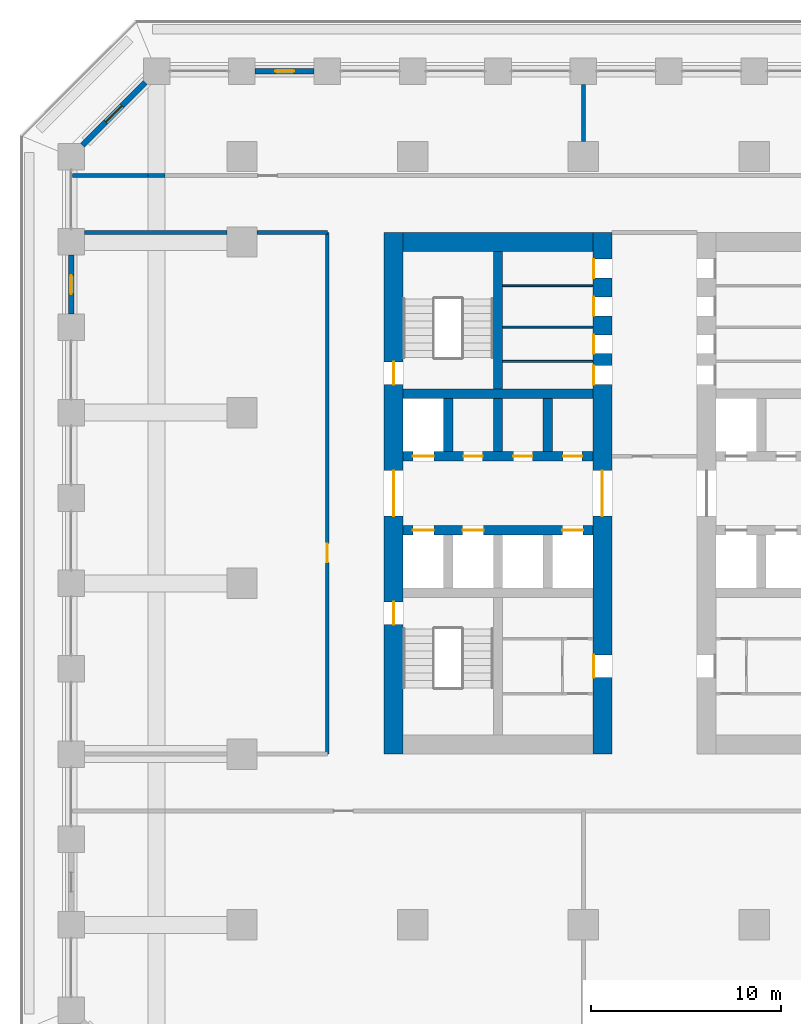
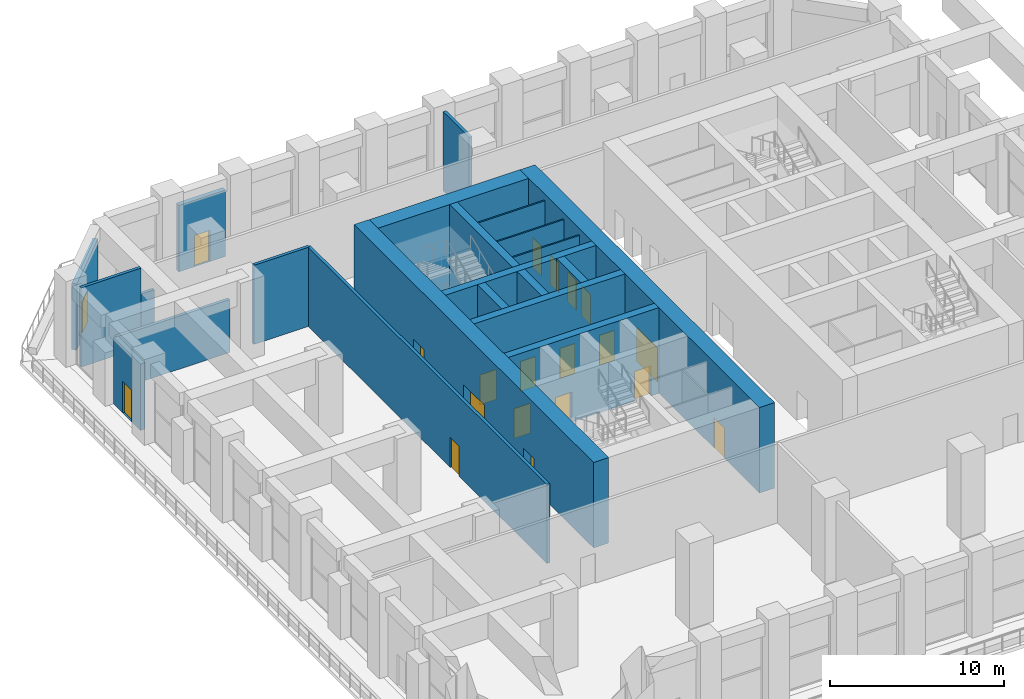
# One storey, part 13 of 21: 22 walls, 20 doors, 20 openings.
"""IFC4 building model written with IfcOpenShell, lengths in metres."""

from ifc_helpers import new_model, si_unit, direction, frame, frame_2d, origin, place, context, subcontext, project, spatial, rectangle, extrude, material, layer, layer_set, type_object, element, fill, save


model = new_model("IFC4")

# Units and contexts
model_context = context("Model", 3, precision=1e-05, world=origin(), true_north=direction((0.0, 1.0)))
body_context = subcontext(model_context, "Body", "Model", "MODEL_VIEW")
ifc_project = project(units=[si_unit("LENGTHUNIT", "METRE"), si_unit("AREAUNIT", "SQUARE_METRE"), si_unit("VOLUMEUNIT", "CUBIC_METRE"), si_unit("PLANEANGLEUNIT", "RADIAN"), si_unit("MASSUNIT", "GRAM", prefix="KILO")], contexts=[model_context])

# Site, building, storey
site_placement = place(None, origin())
site = spatial("IfcSite", under=ifc_project, at=site_placement, CompositionType="ELEMENT")
building_placement = place(site_placement, origin())
building = spatial("IfcBuilding", under=site, at=building_placement, Name="Corbel Stack Research Tower", CompositionType="ELEMENT")
storey_placement = place(building_placement, frame((0.0, 0.0, 35.89990234375)))
storey = spatial("IfcBuildingStorey", under=building, at=storey_placement, Name="L08", CompositionType="ELEMENT", Elevation=35.89990234375)

# Wall, openings, doors
ifc_material_1 = material(Name="Concrete C70/85", Category="concrete")
ifc_layer_1 = layer(ifc_material_1, 1.0)
ifc_layer_set_1 = layer_set([ifc_layer_1], Name="Concrete C70/85")
wall_type_1 = type_object("IfcWallType", Name="CW-1000-70", PredefinedType="SHEAR", material=ifc_layer_set_1)
wall_1_placement = place(storey_placement, frame((-10.0, -9.0, 0.0), z_axis=(0.0, 0.0, 1.0), x_axis=(0.0, 1.0, 0.0)))
wall_1 = element("IfcWall", 1, at=wall_1_placement, inside=storey, type_object=wall_type_1, Name="West core wall, west face L08", PredefinedType="SHEAR", context=body_context, shape_type="SweptSolid", body=[
    extrude(rectangle(XDim=27.5, YDim=1.0, at=frame_2d((13.75, 0.0))), origin(), (0.0, 0.0, 1.0), 6.0),
])
opening_1_placement = place(wall_1_placement, frame((12.550048828125, 0.0, 0.0)))
opening_1 = element("IfcOpeningElement", 2, at=opening_1_placement, cuts=wall_1, Name="Opening CD-W-W", PredefinedType="OPENING", context=body_context, shape_type="SweptSolid", body=[
    extrude(rectangle(XDim=2.39990234375, YDim=2.39990234375, at=frame_2d((1.199951171875, 1.199951171875))), frame((0.0, 0.510009765625, 0.0), z_axis=(0.0, -1.0, 0.0), x_axis=(1.0, 0.0, 0.0)), (0.0, 0.0, 1.0), 1.02001953125),
])
opening_2_placement = place(wall_1_placement, frame((6.824951171875, 0.0, 0.0)))
opening_2 = element("IfcOpeningElement", 3, at=opening_2_placement, cuts=wall_1, Name="Opening SD-ST-W1", PredefinedType="OPENING", context=body_context, shape_type="SweptSolid", body=[
    extrude(rectangle(XDim=1.199951171875, YDim=2.10009765625, at=frame_2d((0.60009765625, 1.050048828125))), frame((0.0, 0.510009765625, 0.0), z_axis=(0.0, -1.0, 0.0), x_axis=(1.0, 0.0, 0.0)), (0.0, 0.0, 1.0), 1.02001953125),
])
opening_3_placement = place(wall_1_placement, frame((19.47509765625, 0.0, 0.0)))
opening_3 = element("IfcOpeningElement", 4, at=opening_3_placement, cuts=wall_1, Name="Opening SD-ST-W2", PredefinedType="OPENING", context=body_context, shape_type="SweptSolid", body=[
    extrude(rectangle(XDim=1.199951171875, YDim=2.10009765625, at=frame_2d((0.60009765625, 1.050048828125))), frame((0.0, 0.510009765625, 0.0), z_axis=(0.0, -1.0, 0.0), x_axis=(1.0, 0.0, 0.0)), (0.0, 0.0, 1.0), 1.02001953125),
])
ifc_material_2 = material(Name="Painted steel fire door", Category="steel")
door_type_1 = type_object("IfcDoorType", Name="Lobby door pair 2400 x 2400 FD30S", OperationType="DOUBLE_DOOR_DOUBLE_SWING", PredefinedType="DOOR", material=ifc_material_2)
door_1_placement = place(opening_1_placement, origin())
door_1 = element("IfcDoor", 5, at=door_1_placement, inside=storey, type_object=door_type_1, Name="Lift lobby door W core W", OperationType="DOUBLE_DOOR_DOUBLE_SWING", OverallHeight=2.39990234375, OverallWidth=2.39990234375, PredefinedType="DOOR", context=body_context, shape_type="SweptSolid", body=[
    extrude(rectangle(XDim=2.39990234375, YDim=2.39990234375, at=frame_2d((1.199951171875, 1.199951171875))), frame((0.0, 0.02490234375, 0.0), z_axis=(0.0, -1.0, 0.0), x_axis=(1.0, 0.0, 0.0)), (0.0, 0.0, 1.0), 0.050048828125),
])
fill(opening_1, door_1)
ifc_material_3 = material(Name="Painted steel fire door", Category="steel")
door_type_2 = type_object("IfcDoorType", Name="Stair door 1200 x 2100 FD90 left hand", OperationType="SINGLE_SWING_LEFT", PredefinedType="DOOR", material=ifc_material_3)
door_2_placement = place(opening_2_placement, origin())
door_2 = element("IfcDoor", 6, at=door_2_placement, inside=storey, type_object=door_type_2, Name="Stair door ST-W1", OperationType="SINGLE_SWING_LEFT", OverallHeight=2.10009765625, OverallWidth=1.199951171875, PredefinedType="DOOR", context=body_context, shape_type="SweptSolid", body=[
    extrude(rectangle(XDim=1.199951171875, YDim=2.10009765625, at=frame_2d((0.60009765625, 1.050048828125))), frame((0.0, 0.02490234375, 0.0), z_axis=(0.0, -1.0, 0.0), x_axis=(1.0, 0.0, 0.0)), (0.0, 0.0, 1.0), 0.050048828125),
])
fill(opening_2, door_2)
door_3_placement = place(opening_3_placement, origin())
door_3 = element("IfcDoor", 7, at=door_3_placement, inside=storey, type_object=door_type_2, Name="Stair door ST-W2", OperationType="SINGLE_SWING_LEFT", OverallHeight=2.10009765625, OverallWidth=1.199951171875, PredefinedType="DOOR", context=body_context, shape_type="SweptSolid", body=[
    extrude(rectangle(XDim=1.199951171875, YDim=2.10009765625, at=frame_2d((0.60009765625, 1.050048828125))), frame((0.0, 0.02490234375, 0.0), z_axis=(0.0, -1.0, 0.0), x_axis=(1.0, 0.0, 0.0)), (0.0, 0.0, 1.0), 0.050048828125),
])
fill(opening_3, door_3)

wall_2_placement = place(storey_placement, frame((1.0, -9.0, 0.0), z_axis=(0.0, 0.0, 1.0), x_axis=(0.0, 1.0, 0.0)))
wall_2 = element("IfcWall", 8, at=wall_2_placement, inside=storey, type_object=wall_type_1, Name="West core wall, east face L08", PredefinedType="SHEAR", context=body_context, shape_type="SweptSolid", body=[
    extrude(rectangle(XDim=27.5, YDim=1.0, at=frame_2d((13.75, 0.0))), origin(), (0.0, 0.0, 1.0), 6.0),
])
opening_4_placement = place(wall_2_placement, frame((12.550048828125, 0.0, 0.0)))
opening_4 = element("IfcOpeningElement", 9, at=opening_4_placement, cuts=wall_2, Name="Opening CD-W-E", PredefinedType="OPENING", context=body_context, shape_type="SweptSolid", body=[
    extrude(rectangle(XDim=2.39990234375, YDim=2.39990234375, at=frame_2d((1.199951171875, 1.199951171875))), frame((0.0, 0.510009765625, 0.0), z_axis=(0.0, -1.0, 0.0), x_axis=(1.0, 0.0, 0.0)), (0.0, 0.0, 1.0), 1.02001953125),
])
opening_5_placement = place(wall_2_placement, frame((4.02490234375, 0.0, 0.0)))
opening_5 = element("IfcOpeningElement", 10, at=opening_5_placement, cuts=wall_2, Name="Opening CR-W36-W1-1200", PredefinedType="OPENING", context=body_context, shape_type="SweptSolid", body=[
    extrude(rectangle(XDim=1.199951171875, YDim=2.10009765625, at=frame_2d((0.60009765625, 1.050048828125))), frame((0.0, 0.510009765625, 0.0), z_axis=(0.0, -1.0, 0.0), x_axis=(1.0, 0.0, 0.0)), (0.0, 0.0, 1.0), 1.02001953125),
])
opening_6_placement = place(wall_2_placement, frame((19.47509765625, 0.0, 0.0)))
opening_6 = element("IfcOpeningElement", 11, at=opening_6_placement, cuts=wall_2, Name="Opening CR-W36-R1-1000", PredefinedType="OPENING", context=body_context, shape_type="SweptSolid", body=[
    extrude(rectangle(XDim=1.0, YDim=2.10009765625, at=frame_2d((0.5, 1.050048828125))), frame((0.0, 0.510009765625, 0.0), z_axis=(0.0, -1.0, 0.0), x_axis=(1.0, 0.0, 0.0)), (0.0, 0.0, 1.0), 1.02001953125),
])
opening_7_placement = place(wall_2_placement, frame((21.106201171875, 0.0, 0.0)))
opening_7 = element("IfcOpeningElement", 12, at=opening_7_placement, cuts=wall_2, Name="Opening CR-W36-R2-1000", PredefinedType="OPENING", context=body_context, shape_type="SweptSolid", body=[
    extrude(rectangle(XDim=1.0, YDim=2.10009765625, at=frame_2d((0.5, 1.050048828125))), frame((0.0, 0.510009765625, 0.0), z_axis=(0.0, -1.0, 0.0), x_axis=(1.0, 0.0, 0.0)), (0.0, 0.0, 1.0), 1.02001953125),
])
opening_8_placement = place(wall_2_placement, frame((23.10009765625, 0.0, 0.0)))
opening_8 = element("IfcOpeningElement", 13, at=opening_8_placement, cuts=wall_2, Name="Opening CR-W36-R3-1000", PredefinedType="OPENING", context=body_context, shape_type="SweptSolid", body=[
    extrude(rectangle(XDim=1.0, YDim=2.10009765625, at=frame_2d((0.5, 1.050048828125))), frame((0.0, 0.510009765625, 0.0), z_axis=(0.0, -1.0, 0.0), x_axis=(1.0, 0.0, 0.0)), (0.0, 0.0, 1.0), 1.02001953125),
])
opening_9_placement = place(wall_2_placement, frame((25.09375, 0.0, 0.0)))
opening_9 = element("IfcOpeningElement", 14, at=opening_9_placement, cuts=wall_2, Name="Opening CR-W36-R4-1000", PredefinedType="OPENING", context=body_context, shape_type="SweptSolid", body=[
    extrude(rectangle(XDim=1.0, YDim=2.10009765625, at=frame_2d((0.5, 1.050048828125))), frame((0.0, 0.510009765625, 0.0), z_axis=(0.0, -1.0, 0.0), x_axis=(1.0, 0.0, 0.0)), (0.0, 0.0, 1.0), 1.02001953125),
])
door_4_placement = place(opening_4_placement, origin())
door_4 = element("IfcDoor", 15, at=door_4_placement, inside=storey, type_object=door_type_1, Name="Lift lobby door W core E", OperationType="DOUBLE_DOOR_DOUBLE_SWING", OverallHeight=2.39990234375, OverallWidth=2.39990234375, PredefinedType="DOOR", context=body_context, shape_type="SweptSolid", body=[
    extrude(rectangle(XDim=2.39990234375, YDim=2.39990234375, at=frame_2d((1.199951171875, 1.199951171875))), frame((0.0, 0.02490234375, 0.0), z_axis=(0.0, -1.0, 0.0), x_axis=(1.0, 0.0, 0.0)), (0.0, 0.0, 1.0), 0.050048828125),
])
fill(opening_4, door_4)
ifc_material_4 = material(Name="Painted steel door", Category="steel")
door_type_3 = type_object("IfcDoorType", Name="Riser door 1000 x 2100 FD60 left hand", OperationType="SINGLE_SWING_LEFT", PredefinedType="DOOR", material=ifc_material_4)
door_5_placement = place(opening_6_placement, origin())
door_5 = element("IfcDoor", 16, at=door_5_placement, inside=storey, type_object=door_type_3, Name="Electrical riser door W core", OperationType="SINGLE_SWING_LEFT", OverallHeight=2.10009765625, OverallWidth=1.0, PredefinedType="DOOR", context=body_context, shape_type="SweptSolid", body=[
    extrude(rectangle(XDim=1.0, YDim=2.10009765625, at=frame_2d((0.5, 1.050048828125))), frame((0.0, 0.47509765625, 0.0), z_axis=(0.0, -1.0, 0.0), x_axis=(1.0, 0.0, 0.0)), (0.0, 0.0, 1.0), 0.050048828125),
])
fill(opening_6, door_5)
ifc_material_5 = material(Name="Painted steel door", Category="steel")
door_type_4 = type_object("IfcDoorType", Name="Riser door 1000 x 2100 FD60 right hand", OperationType="SINGLE_SWING_RIGHT", PredefinedType="DOOR", material=ifc_material_5)
door_6_placement = place(opening_7_placement, origin())
door_6 = element("IfcDoor", 17, at=door_6_placement, inside=storey, type_object=door_type_4, Name="Telecom room door W core", OperationType="SINGLE_SWING_RIGHT", OverallHeight=2.10009765625, OverallWidth=1.0, PredefinedType="DOOR", context=body_context, shape_type="SweptSolid", body=[
    extrude(rectangle(XDim=1.0, YDim=2.10009765625, at=frame_2d((0.5, 1.050048828125))), frame((0.0, 0.47509765625, 0.0), z_axis=(0.0, -1.0, 0.0), x_axis=(1.0, 0.0, 0.0)), (0.0, 0.0, 1.0), 0.050048828125),
])
fill(opening_7, door_6)
ifc_material_6 = material(Name="Painted steel door", Category="steel")
door_type_5 = type_object("IfcDoorType", Name="Service door 1000 x 2100 FD30 left hand", OperationType="SINGLE_SWING_LEFT", PredefinedType="DOOR", material=ifc_material_6)
door_7_placement = place(opening_8_placement, origin())
door_7 = element("IfcDoor", 18, at=door_7_placement, inside=storey, type_object=door_type_5, Name="Pantry door W core", OperationType="SINGLE_SWING_LEFT", OverallHeight=2.10009765625, OverallWidth=1.0, PredefinedType="DOOR", context=body_context, shape_type="SweptSolid", body=[
    extrude(rectangle(XDim=1.0, YDim=2.10009765625, at=frame_2d((0.5, 1.050048828125))), frame((0.0, 0.47509765625, 0.0), z_axis=(0.0, -1.0, 0.0), x_axis=(1.0, 0.0, 0.0)), (0.0, 0.0, 1.0), 0.050048828125),
])
fill(opening_8, door_7)
ifc_material_7 = material(Name="Painted steel door", Category="steel")
door_type_6 = type_object("IfcDoorType", Name="Service door 1000 x 2100 FD30 right hand", OperationType="SINGLE_SWING_RIGHT", PredefinedType="DOOR", material=ifc_material_7)
door_8_placement = place(opening_9_placement, origin())
door_8 = element("IfcDoor", 19, at=door_8_placement, inside=storey, type_object=door_type_6, Name="Cleaner's store door W core", OperationType="SINGLE_SWING_RIGHT", OverallHeight=2.10009765625, OverallWidth=1.0, PredefinedType="DOOR", context=body_context, shape_type="SweptSolid", body=[
    extrude(rectangle(XDim=1.0, YDim=2.10009765625, at=frame_2d((0.5, 1.050048828125))), frame((0.0, 0.47509765625, 0.0), z_axis=(0.0, -1.0, 0.0), x_axis=(1.0, 0.0, 0.0)), (0.0, 0.0, 1.0), 0.050048828125),
])
fill(opening_9, door_8)
ifc_material_8 = material(Name="Painted timber door", Category="wood")
door_type_7 = type_object("IfcDoorType", Name="WC door 1200 x 2100 left hand", OperationType="SINGLE_SWING_LEFT", PredefinedType="DOOR", material=ifc_material_8)
door_9_placement = place(opening_5_placement, origin())
door_9 = element("IfcDoor", 20, at=door_9_placement, inside=storey, type_object=door_type_7, Name="WC lobby door W core", OperationType="SINGLE_SWING_LEFT", OverallHeight=2.10009765625, OverallWidth=1.199951171875, PredefinedType="DOOR", context=body_context, shape_type="SweptSolid", body=[
    extrude(rectangle(XDim=1.199951171875, YDim=2.10009765625, at=frame_2d((0.60009765625, 1.050048828125))), frame((0.0, 0.47509765625, 0.0), z_axis=(0.0, -1.0, 0.0), x_axis=(1.0, 0.0, 0.0)), (0.0, 0.0, 1.0), 0.050048828125),
])
fill(opening_5, door_9)

# Wall
wall_3_placement = place(storey_placement, frame((-9.5, 18.0, 0.0), z_axis=(0.0, 0.0, 1.0), x_axis=(1.0, 0.0, 0.0)))
element("IfcWall", 21, at=wall_3_placement, inside=storey, type_object=wall_type_1, Name="West core wall, north end L08", PredefinedType="SHEAR", context=body_context, shape_type="SweptSolid", body=[
    extrude(rectangle(XDim=10.0, YDim=1.0, at=frame_2d((5.0, 0.0))), origin(), (0.0, 0.0, 1.0), 6.0),
])

# Wall, openings, doors
ifc_material_9 = material(Name="Concrete C70/85", Category="concrete")
ifc_layer_2 = layer(ifc_material_9, 0.5)
ifc_layer_set_2 = layer_set([ifc_layer_2], Name="Concrete C70/85")
wall_type_2 = type_object("IfcWallType", Name="CW-500-70", PredefinedType="SHEAR", material=ifc_layer_set_2)
wall_4_placement = place(storey_placement, frame((-9.5, 2.800048828125, 0.0), z_axis=(0.0, 0.0, 1.0), x_axis=(1.0, 0.0, 0.0)))
wall_4 = element("IfcWall", 22, at=wall_4_placement, inside=storey, type_object=wall_type_2, Name="West core wall, lobby south L08", PredefinedType="SHEAR", context=body_context, shape_type="SweptSolid", body=[
    extrude(rectangle(XDim=10.0, YDim=0.5, at=frame_2d((5.0, 0.0))), origin(), (0.0, 0.0, 1.0), 6.0),
])
opening_10_placement = place(wall_4_placement, frame((0.512451171875, 0.0, 0.0)))
opening_10 = element("IfcOpeningElement", 23, at=opening_10_placement, cuts=wall_4, Name="Opening LD-FS1", PredefinedType="OPENING", context=body_context, shape_type="SweptSolid", body=[
    extrude(rectangle(XDim=1.10009765625, YDim=2.10009765625, at=frame_2d((0.550048828125, 1.050048828125))), frame((0.0, 0.260009765625, 0.0), z_axis=(0.0, -1.0, 0.0), x_axis=(1.0, 0.0, 0.0)), (0.0, 0.0, 1.0), 0.52001953125),
])
opening_11_placement = place(wall_4_placement, frame((3.137451171875, 0.0, 0.0)))
opening_11 = element("IfcOpeningElement", 24, at=opening_11_placement, cuts=wall_4, Name="Opening LD-GL1", PredefinedType="OPENING", context=body_context, shape_type="SweptSolid", body=[
    extrude(rectangle(XDim=1.10009765625, YDim=2.10009765625, at=frame_2d((0.550048828125, 1.050048828125))), frame((0.0, 0.260009765625, 0.0), z_axis=(0.0, -1.0, 0.0), x_axis=(1.0, 0.0, 0.0)), (0.0, 0.0, 1.0), 0.52001953125),
])
opening_12_placement = place(wall_4_placement, frame((8.387451171875, 0.0, 0.0)))
opening_12 = element("IfcOpeningElement", 25, at=opening_12_placement, cuts=wall_4, Name="Opening LD-LR1", PredefinedType="OPENING", context=body_context, shape_type="SweptSolid", body=[
    extrude(rectangle(XDim=1.10009765625, YDim=2.10009765625, at=frame_2d((0.550048828125, 1.050048828125))), frame((0.0, 0.260009765625, 0.0), z_axis=(0.0, -1.0, 0.0), x_axis=(1.0, 0.0, 0.0)), (0.0, 0.0, 1.0), 0.52001953125),
])
ifc_material_10 = material(Name="Stainless steel landing door", Category="steel")
door_type_8 = type_object("IfcDoorType", Name="Lift landing door 1100 x 2100", OperationType="DOUBLE_DOOR_SLIDING", PredefinedType="DOOR", material=ifc_material_10)
door_10_placement = place(opening_10_placement, origin())
door_10 = element("IfcDoor", 26, at=door_10_placement, inside=storey, type_object=door_type_8, Name="Landing door FS1", OperationType="DOUBLE_DOOR_SLIDING", OverallHeight=2.10009765625, OverallWidth=1.10009765625, PredefinedType="DOOR", context=body_context, shape_type="SweptSolid", body=[
    extrude(rectangle(XDim=1.10009765625, YDim=2.10009765625, at=frame_2d((0.550048828125, 1.050048828125))), frame((0.0, 0.02490234375, 0.0), z_axis=(0.0, -1.0, 0.0), x_axis=(1.0, 0.0, 0.0)), (0.0, 0.0, 1.0), 0.050048828125),
])
fill(opening_10, door_10)
door_11_placement = place(opening_11_placement, origin())
door_11 = element("IfcDoor", 27, at=door_11_placement, inside=storey, type_object=door_type_8, Name="Landing door GL1", OperationType="DOUBLE_DOOR_SLIDING", OverallHeight=2.10009765625, OverallWidth=1.10009765625, PredefinedType="DOOR", context=body_context, shape_type="SweptSolid", body=[
    extrude(rectangle(XDim=1.10009765625, YDim=2.10009765625, at=frame_2d((0.550048828125, 1.050048828125))), frame((0.0, 0.02490234375, 0.0), z_axis=(0.0, -1.0, 0.0), x_axis=(1.0, 0.0, 0.0)), (0.0, 0.0, 1.0), 0.050048828125),
])
fill(opening_11, door_11)
door_12_placement = place(opening_12_placement, origin())
door_12 = element("IfcDoor", 28, at=door_12_placement, inside=storey, type_object=door_type_8, Name="Landing door LR1", OperationType="DOUBLE_DOOR_SLIDING", OverallHeight=2.10009765625, OverallWidth=1.10009765625, PredefinedType="DOOR", context=body_context, shape_type="SweptSolid", body=[
    extrude(rectangle(XDim=1.10009765625, YDim=2.10009765625, at=frame_2d((0.550048828125, 1.050048828125))), frame((0.0, 0.02490234375, 0.0), z_axis=(0.0, -1.0, 0.0), x_axis=(1.0, 0.0, 0.0)), (0.0, 0.0, 1.0), 0.050048828125),
])
fill(opening_12, door_12)

wall_5_placement = place(storey_placement, frame((-9.5, 6.699951171875, 0.0), z_axis=(0.0, 0.0, 1.0), x_axis=(1.0, 0.0, 0.0)))
wall_5 = element("IfcWall", 29, at=wall_5_placement, inside=storey, type_object=wall_type_2, Name="West core wall, lobby north L08", PredefinedType="SHEAR", context=body_context, shape_type="SweptSolid", body=[
    extrude(rectangle(XDim=10.0, YDim=0.5, at=frame_2d((5.0, 0.0))), origin(), (0.0, 0.0, 1.0), 6.0),
])
opening_13_placement = place(wall_5_placement, frame((0.512451171875, 0.0, 0.0)))
opening_13 = element("IfcOpeningElement", 30, at=opening_13_placement, cuts=wall_5, Name="Opening LD-LR2", PredefinedType="OPENING", context=body_context, shape_type="SweptSolid", body=[
    extrude(rectangle(XDim=1.10009765625, YDim=2.10009765625, at=frame_2d((0.550048828125, 1.050048828125))), frame((0.0, 0.260009765625, 0.0), z_axis=(0.0, -1.0, 0.0), x_axis=(1.0, 0.0, 0.0)), (0.0, 0.0, 1.0), 0.52001953125),
])
opening_14_placement = place(wall_5_placement, frame((3.1875, 0.0, 0.0)))
opening_14 = element("IfcOpeningElement", 31, at=opening_14_placement, cuts=wall_5, Name="Opening CR-W36-N2", PredefinedType="OPENING", context=body_context, shape_type="SweptSolid", body=[
    extrude(rectangle(XDim=1.0, YDim=2.10009765625, at=frame_2d((0.5, 1.050048828125))), frame((0.0, 0.260009765625, 0.0), z_axis=(0.0, -1.0, 0.0), x_axis=(1.0, 0.0, 0.0)), (0.0, 0.0, 1.0), 0.52001953125),
])
opening_15_placement = place(wall_5_placement, frame((5.8125, 0.0, 0.0)))
opening_15 = element("IfcOpeningElement", 32, at=opening_15_placement, cuts=wall_5, Name="Opening CR-W36-N3", PredefinedType="OPENING", context=body_context, shape_type="SweptSolid", body=[
    extrude(rectangle(XDim=1.0, YDim=2.10009765625, at=frame_2d((0.5, 1.050048828125))), frame((0.0, 0.260009765625, 0.0), z_axis=(0.0, -1.0, 0.0), x_axis=(1.0, 0.0, 0.0)), (0.0, 0.0, 1.0), 0.52001953125),
])
opening_16_placement = place(wall_5_placement, frame((8.4375, 0.0, 0.0)))
opening_16 = element("IfcOpeningElement", 33, at=opening_16_placement, cuts=wall_5, Name="Opening CR-W36-N4", PredefinedType="OPENING", context=body_context, shape_type="SweptSolid", body=[
    extrude(rectangle(XDim=1.0, YDim=2.10009765625, at=frame_2d((0.5, 1.050048828125))), frame((0.0, 0.260009765625, 0.0), z_axis=(0.0, -1.0, 0.0), x_axis=(1.0, 0.0, 0.0)), (0.0, 0.0, 1.0), 0.52001953125),
])
door_13_placement = place(opening_13_placement, origin())
door_13 = element("IfcDoor", 34, at=door_13_placement, inside=storey, type_object=door_type_8, Name="Landing door LR2", OperationType="DOUBLE_DOOR_SLIDING", OverallHeight=2.10009765625, OverallWidth=1.10009765625, PredefinedType="DOOR", context=body_context, shape_type="SweptSolid", body=[
    extrude(rectangle(XDim=1.10009765625, YDim=2.10009765625, at=frame_2d((0.550048828125, 1.050048828125))), frame((0.0, 0.02490234375, 0.0), z_axis=(0.0, -1.0, 0.0), x_axis=(1.0, 0.0, 0.0)), (0.0, 0.0, 1.0), 0.050048828125),
])
fill(opening_13, door_13)
ifc_material_11 = material(Name="Painted steel door", Category="steel")
door_type_9 = type_object("IfcDoorType", Name="Service door 1000 x 2100 FD60 left hand", OperationType="SINGLE_SWING_LEFT", PredefinedType="DOOR", material=ifc_material_11)
door_14_placement = place(opening_15_placement, origin())
door_14 = element("IfcDoor", 35, at=door_14_placement, inside=storey, type_object=door_type_9, Name="Cleaner's store door W core", OperationType="SINGLE_SWING_LEFT", OverallHeight=2.10009765625, OverallWidth=1.0, PredefinedType="DOOR", context=body_context, shape_type="SweptSolid", body=[
    extrude(rectangle(XDim=1.0, YDim=2.10009765625, at=frame_2d((0.5, 1.050048828125))), frame((0.0, 0.02490234375, 0.0), z_axis=(0.0, -1.0, 0.0), x_axis=(1.0, 0.0, 0.0)), (0.0, 0.0, 1.0), 0.050048828125),
])
fill(opening_15, door_14)
ifc_material_12 = material(Name="Painted steel door", Category="steel")
door_type_10 = type_object("IfcDoorType", Name="Service door 1000 x 2100 FD60 right hand", OperationType="SINGLE_SWING_RIGHT", PredefinedType="DOOR", material=ifc_material_12)
door_15_placement = place(opening_14_placement, origin())
door_15 = element("IfcDoor", 36, at=door_15_placement, inside=storey, type_object=door_type_10, Name="Laboratory consumables store door W core", OperationType="SINGLE_SWING_RIGHT", OverallHeight=2.10009765625, OverallWidth=1.0, PredefinedType="DOOR", context=body_context, shape_type="SweptSolid", body=[
    extrude(rectangle(XDim=1.0, YDim=2.10009765625, at=frame_2d((0.5, 1.050048828125))), frame((0.0, 0.02490234375, 0.0), z_axis=(0.0, -1.0, 0.0), x_axis=(1.0, 0.0, 0.0)), (0.0, 0.0, 1.0), 0.050048828125),
])
fill(opening_14, door_15)
door_16_placement = place(opening_16_placement, origin())
door_16 = element("IfcDoor", 37, at=door_16_placement, inside=storey, type_object=door_type_10, Name="Vending bay door W core", OperationType="SINGLE_SWING_RIGHT", OverallHeight=2.10009765625, OverallWidth=1.0, PredefinedType="DOOR", context=body_context, shape_type="SweptSolid", body=[
    extrude(rectangle(XDim=1.0, YDim=2.10009765625, at=frame_2d((0.5, 1.050048828125))), frame((0.0, 0.02490234375, 0.0), z_axis=(0.0, -1.0, 0.0), x_axis=(1.0, 0.0, 0.0)), (0.0, 0.0, 1.0), 0.050048828125),
])
fill(opening_16, door_16)

# Walls
wall_6_placement = place(storey_placement, frame((-9.5, 10.0, 0.0), z_axis=(0.0, 0.0, 1.0), x_axis=(1.0, 0.0, 0.0)))
element("IfcWall", 38, at=wall_6_placement, inside=storey, type_object=wall_type_2, Name="West core wall, north row back L08", PredefinedType="SHEAR", context=body_context, shape_type="SweptSolid", body=[
    extrude(rectangle(XDim=10.0, YDim=0.5, at=frame_2d((5.0, 0.0))), origin(), (0.0, 0.0, 1.0), 6.0),
])
for number, where, z_axis, x_axis, name in (
    (39, (-7.125, 6.949951171875, 0.0), (0.0, 0.0, 1.0), (0.0, 1.0, 0.0), "West core wall, north shaft 1 L08"),
    (40, (-4.5, 6.949951171875, 0.0), (0.0, 0.0, 1.0), (0.0, 1.0, 0.0), "West core wall, north shaft 2 L08"),
    (41, (-1.875, 6.949951171875, 0.0), (0.0, 0.0, 1.0), (0.0, 1.0, 0.0), "West core wall, north shaft 3 L08"),
):
    element("IfcWall", number, at=place(storey_placement, frame(where, z_axis=z_axis, x_axis=x_axis)), inside=storey, type_object=wall_type_2, Name=name, PredefinedType="SHEAR", context=body_context, shape_type="SweptSolid", body=[
        extrude(rectangle(XDim=2.800048828125, YDim=0.5, at=frame_2d((1.39990234375, 0.0))), origin(), (0.0, 0.0, 1.0), 6.0),
    ])
wall_7_placement = place(storey_placement, frame((-4.5, 10.25, 0.0), z_axis=(0.0, 0.0, 1.0), x_axis=(0.0, 1.0, 0.0)))
element("IfcWall", 42, at=wall_7_placement, inside=storey, type_object=wall_type_2, Name="West core wall, north stair and riser L08", PredefinedType="SHEAR", context=body_context, shape_type="SweptSolid", body=[
    extrude(rectangle(XDim=7.25, YDim=0.5, at=frame_2d((3.625, 0.0))), origin(), (0.0, 0.0, 1.0), 6.0),
])
ifc_material_13 = material(Name="Gypsum board")
ifc_layer_3 = layer(ifc_material_13, 0.10009765625)
ifc_layer_set_3 = layer_set([ifc_layer_3], Name="Gypsum board")
wall_type_3 = type_object("IfcWallType", Name="Core partition 100", PredefinedType="PARTITIONING", material=ifc_layer_set_3)
for number, where, z_axis, x_axis, name in (
    (43, (-4.25, 11.699951171875, 0.0), (0.0, 0.0, 1.0), (1.0, 0.0, 0.0), "Core partition W"),
    (44, (-4.25, 13.512451171875, 0.0), (0.0, 0.0, 1.0), (1.0, 0.0, 0.0), "Core partition W"),
    (45, (-4.25, 15.6875, 0.0), (0.0, 0.0, 1.0), (1.0, 0.0, 0.0), "Core partition W"),
):
    element("IfcWall", number, at=place(storey_placement, frame(where, z_axis=z_axis, x_axis=x_axis)), inside=storey, type_object=wall_type_3, Name=name, PredefinedType="PARTITIONING", context=body_context, shape_type="SweptSolid", body=[
        extrude(rectangle(XDim=4.75, YDim=0.10009765625, at=frame_2d((2.375, 0.0))), origin(), (0.0, 0.0, 1.0), 5.550048828125),
    ])

# Wall, opening, door
ifc_material_14 = material(Name="Fire-rated gypsum board partition on steel studs", Category="steel")
ifc_layer_4 = layer(ifc_material_14, 0.199951171875)
ifc_layer_set_4 = layer_set([ifc_layer_4], Name="Fire-rated gypsum board partition on steel studs")
wall_type_4 = type_object("IfcWallType", Name="Fire-rated partition 200 EI 60", PredefinedType="PARTITIONING", material=ifc_layer_set_4)
wall_8_placement = place(storey_placement, frame((-13.5, -9.0, 0.0), z_axis=(0.0, 0.0, 1.0), x_axis=(0.0, 1.0, 0.0)))
wall_8 = element("IfcWall", 46, at=wall_8_placement, inside=storey, type_object=wall_type_4, Name="Partition L08-001", PredefinedType="PARTITIONING", context=body_context, shape_type="SweptSolid", body=[
    extrude(rectangle(XDim=27.5, YDim=0.199951171875, at=frame_2d((13.75, 0.0))), origin(), (0.0, 0.0, 1.0), 5.550048828125),
])
opening_17_placement = place(wall_8_placement, frame((10.10009765625, 0.0, 0.0)))
opening_17 = element("IfcOpeningElement", 47, at=opening_17_placement, cuts=wall_8, Name="Opening B1AM-001", PredefinedType="OPENING", context=body_context, shape_type="SweptSolid", body=[
    extrude(rectangle(XDim=1.0, YDim=2.10009765625, at=frame_2d((0.5, 1.050048828125))), frame((0.0, 0.10986328125, 0.0), z_axis=(0.0, -1.0, 0.0), x_axis=(1.0, 0.0, 0.0)), (0.0, 0.0, 1.0), 0.219970703125),
])
ifc_material_15 = material(Name="Painted steel fire door", Category="steel")
door_type_11 = type_object("IfcDoorType", Name="Fire door FD30S 1000 x 2100", OperationType="NOTDEFINED", PredefinedType="DOOR", material=ifc_material_15)
door_17_placement = place(opening_17_placement, origin())
door_17 = element("IfcDoor", 48, at=door_17_placement, inside=storey, type_object=door_type_11, Name="Door B1AM-001", OperationType="SINGLE_SWING_LEFT", OverallHeight=2.10009765625, OverallWidth=1.0, PredefinedType="DOOR", context=body_context, shape_type="SweptSolid", body=[
    extrude(rectangle(XDim=1.0, YDim=2.10009765625, at=frame_2d((0.5, 1.050048828125))), frame((0.0, 0.02490234375, 0.0), z_axis=(0.0, -1.0, 0.0), x_axis=(1.0, 0.0, 0.0)), (0.0, 0.0, 1.0), 0.050048828125),
])
fill(opening_17, door_17)

# Walls
wall_9_placement = place(storey_placement, frame((0.0, 23.300048828125, 0.0), z_axis=(0.0, 0.0, 1.0), x_axis=(0.0, 1.0, 0.0)))
element("IfcWall", 49, at=wall_9_placement, inside=storey, type_object=wall_type_4, Name="Partition L08-004", PredefinedType="PARTITIONING", context=body_context, shape_type="SweptSolid", body=[
    extrude(rectangle(XDim=3.0, YDim=0.199951171875, at=frame_2d((1.5, 0.0))), origin(), (0.0, 0.0, 1.0), 5.550048828125),
])
wall_10_placement = place(storey_placement, frame((-26.300048828125, 18.5, 0.0), z_axis=(0.0, 0.0, 1.0), x_axis=(1.0, 0.0, 0.0)))
element("IfcWall", 50, at=wall_10_placement, inside=storey, type_object=wall_type_4, Name="Partition L08-021", PredefinedType="PARTITIONING", context=body_context, shape_type="SweptSolid", body=[
    extrude(rectangle(XDim=7.5, YDim=0.199951171875, at=frame_2d((3.75, 0.0))), origin(), (0.0, 0.0, 1.0), 3.72021484375),
])
wall_11_placement = place(storey_placement, frame((-17.199951171875, 18.5, 0.0), z_axis=(0.0, 0.0, 1.0), x_axis=(1.0, 0.0, 0.0)))
element("IfcWall", 51, at=wall_11_placement, inside=storey, type_object=wall_type_4, Name="Partition L08-022", PredefinedType="PARTITIONING", context=body_context, shape_type="SweptSolid", body=[
    extrude(rectangle(XDim=3.699951171875, YDim=0.199951171875, at=frame_2d((1.85009765625, 0.0))), origin(), (0.0, 0.0, 1.0), 5.550048828125),
])
wall_12_placement = place(storey_placement, frame((-26.919921875, 21.5, 0.0), z_axis=(0.0, 0.0, 1.0), x_axis=(1.0, 0.0, 0.0)))
element("IfcWall", 52, at=wall_12_placement, inside=storey, type_object=wall_type_4, Name="Partition L08-026", PredefinedType="PARTITIONING", context=body_context, shape_type="SweptSolid", body=[
    extrude(rectangle(XDim=3.969970703125, YDim=0.199951171875, at=frame_2d((1.98486328125, 0.0))), origin(), (0.0, 0.0, 1.0), 5.550048828125),
])
wall_13_placement = place(storey_placement, frame((-22.949951171875, 21.5, 0.0), z_axis=(0.0, 0.0, 1.0), x_axis=(1.0, 0.0, 0.0)))
element("IfcWall", 53, at=wall_13_placement, inside=storey, type_object=wall_type_4, Name="Partition L08-027", PredefinedType="PARTITIONING", context=body_context, shape_type="SweptSolid", body=[
    extrude(rectangle(XDim=0.89990234375, YDim=0.199951171875, at=frame_2d((0.449951171875, 0.0))), origin(), (0.0, 0.0, 1.0), 3.72021484375),
])

# Wall, opening, door
ifc_material_16 = material(Name="Concrete C45/55", Category="concrete")
ifc_layer_5 = layer(ifc_material_16, 0.300048828125)
ifc_layer_set_5 = layer_set([ifc_layer_5], Name="Concrete C45/55")
wall_type_5 = type_object("IfcWallType", Name="Terracotta-faced concrete wall 300", PredefinedType="SOLIDWALL", material=ifc_layer_set_5)
wall_14_placement = place(storey_placement, frame((-17.300048828125, 27.0, 0.0), z_axis=(0.0, 0.0, 1.0), x_axis=(1.0, 0.0, 0.0)))
wall_14 = element("IfcWall", 54, at=wall_14_placement, inside=storey, type_object=wall_type_5, Name="Facade wall L08 N09", PredefinedType="SOLIDWALL", context=body_context, shape_type="SweptSolid", body=[
    extrude(rectangle(XDim=3.10009765625, YDim=0.300048828125, at=frame_2d((1.550048828125, 0.0))), origin(), (0.0, 0.0, 1.0), 4.650146484375),
])
opening_18_placement = place(wall_14_placement, frame((1.050048828125, 0.0, 0.0)))
opening_18 = element("IfcOpeningElement", 55, at=opening_18_placement, cuts=wall_14, Name="Opening L08-B08", PredefinedType="OPENING", context=body_context, shape_type="SweptSolid", body=[
    extrude(rectangle(XDim=1.0, YDim=2.199951171875, at=frame_2d((0.5, 1.10009765625))), frame((0.0, 0.159912109375, 0.0), z_axis=(0.0, -1.0, 0.0), x_axis=(1.0, 0.0, 0.0)), (0.0, 0.0, 1.0), 0.320068359375),
])
ifc_material_17 = material(Name="Aluminium frame, clear double glazing", Category="aluminium")
door_type_12 = type_object("IfcDoorType", Name="Balcony door BD1 1000 x 2200", OperationType="NOTDEFINED", PredefinedType="DOOR", material=ifc_material_17)
door_18_placement = place(opening_18_placement, origin())
door_18 = element("IfcDoor", 56, at=door_18_placement, inside=storey, type_object=door_type_12, Name="Balcony door L08-B08", OperationType="SINGLE_SWING_LEFT", OverallHeight=2.199951171875, OverallWidth=1.0, PredefinedType="DOOR", context=body_context, shape_type="SweptSolid", body=[
    extrude(rectangle(XDim=1.0, YDim=2.199951171875, at=frame_2d((0.5, 1.10009765625))), frame((0.0, 0.02490234375, 0.0), z_axis=(0.0, -1.0, 0.0), x_axis=(1.0, 0.0, 0.0)), (0.0, 0.0, 1.0), 0.050048828125),
])
fill(opening_18, door_18)

wall_15_placement = place(storey_placement, frame((-26.406005859375, 23.093994140625, 0.0), z_axis=(0.0, 0.0, 1.0), x_axis=(0.707106781187, 0.707106781187, 0.0)))
wall_15 = element("IfcWall", 57, at=wall_15_placement, inside=storey, type_object=wall_type_5, Name="Facade wall L08 NW01", PredefinedType="SOLIDWALL", context=body_context, shape_type="SweptSolid", body=[
    extrude(rectangle(XDim=4.683837890625, YDim=0.300048828125, at=frame_2d((2.341796875, 0.0))), origin(), (0.0, 0.0, 1.0), 4.650146484375),
])
opening_19_placement = place(wall_15_placement, frame((1.741943359375, 0.0, 0.0)))
opening_19 = element("IfcOpeningElement", 58, at=opening_19_placement, cuts=wall_15, Name="Opening L08-B09", PredefinedType="OPENING", context=body_context, shape_type="SweptSolid", body=[
    extrude(rectangle(XDim=1.199951171875, YDim=2.199951171875, at=frame_2d((0.60009765625, 1.10009765625))), frame((0.0, 0.159912109375, 0.0), z_axis=(0.0, -1.0, 0.0), x_axis=(1.0, 0.0, 0.0)), (0.0, 0.0, 1.0), 0.320068359375),
])
ifc_material_18 = material(Name="Aluminium frame, clear double glazing", Category="aluminium")
door_type_13 = type_object("IfcDoorType", Name="Balcony door BD2 1200 x 2200", OperationType="NOTDEFINED", PredefinedType="DOOR", material=ifc_material_18)
door_19_placement = place(opening_19_placement, origin())
door_19 = element("IfcDoor", 59, at=door_19_placement, inside=storey, type_object=door_type_13, Name="Balcony door L08-B09", OperationType="SINGLE_SWING_LEFT", OverallHeight=2.199951171875, OverallWidth=1.199951171875, PredefinedType="DOOR", context=body_context, shape_type="SweptSolid", body=[
    extrude(rectangle(XDim=1.199951171875, YDim=2.199951171875, at=frame_2d((0.60009765625, 1.10009765625))), frame((0.0, 0.02490234375, 0.0), z_axis=(0.0, -1.0, 0.0), x_axis=(1.0, 0.0, 0.0)), (0.0, 0.0, 1.0), 0.050048828125),
])
fill(opening_19, door_19)

wall_16_placement = place(storey_placement, frame((-27.0, 14.199951171875, 0.0), z_axis=(0.0, 0.0, 1.0), x_axis=(0.0, 1.0, 0.0)))
wall_16 = element("IfcWall", 60, at=wall_16_placement, inside=storey, type_object=wall_type_5, Name="Facade wall L08 W02", PredefinedType="SOLIDWALL", context=body_context, shape_type="SweptSolid", body=[
    extrude(rectangle(XDim=3.10009765625, YDim=0.300048828125, at=frame_2d((1.550048828125, 0.0))), origin(), (0.0, 0.0, 1.0), 4.650146484375),
])
opening_20_placement = place(wall_16_placement, frame((1.050048828125, 0.0, 0.0)))
opening_20 = element("IfcOpeningElement", 61, at=opening_20_placement, cuts=wall_16, Name="Opening L08-B10", PredefinedType="OPENING", context=body_context, shape_type="SweptSolid", body=[
    extrude(rectangle(XDim=1.0, YDim=2.199951171875, at=frame_2d((0.5, 1.10009765625))), frame((0.0, 0.159912109375, 0.0), z_axis=(0.0, -1.0, 0.0), x_axis=(1.0, 0.0, 0.0)), (0.0, 0.0, 1.0), 0.320068359375),
])
door_20_placement = place(opening_20_placement, origin())
door_20 = element("IfcDoor", 62, at=door_20_placement, inside=storey, type_object=door_type_12, Name="Balcony door L08-B10", OperationType="SINGLE_SWING_RIGHT", OverallHeight=2.199951171875, OverallWidth=1.0, PredefinedType="DOOR", context=body_context, shape_type="SweptSolid", body=[
    extrude(rectangle(XDim=1.0, YDim=2.199951171875, at=frame_2d((0.5, 1.10009765625))), frame((0.0, 0.02490234375, 0.0), z_axis=(0.0, -1.0, 0.0), x_axis=(1.0, 0.0, 0.0)), (0.0, 0.0, 1.0), 0.050048828125),
])
fill(opening_20, door_20)

save(model, "model.ifc")
